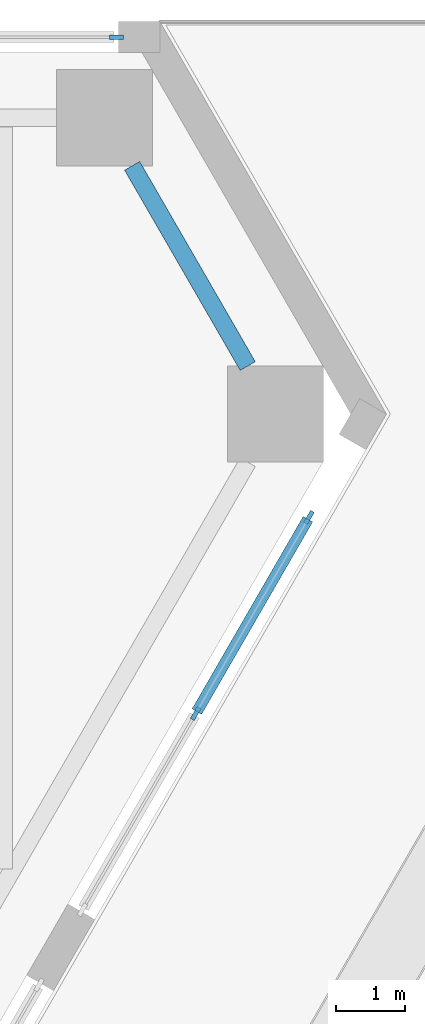
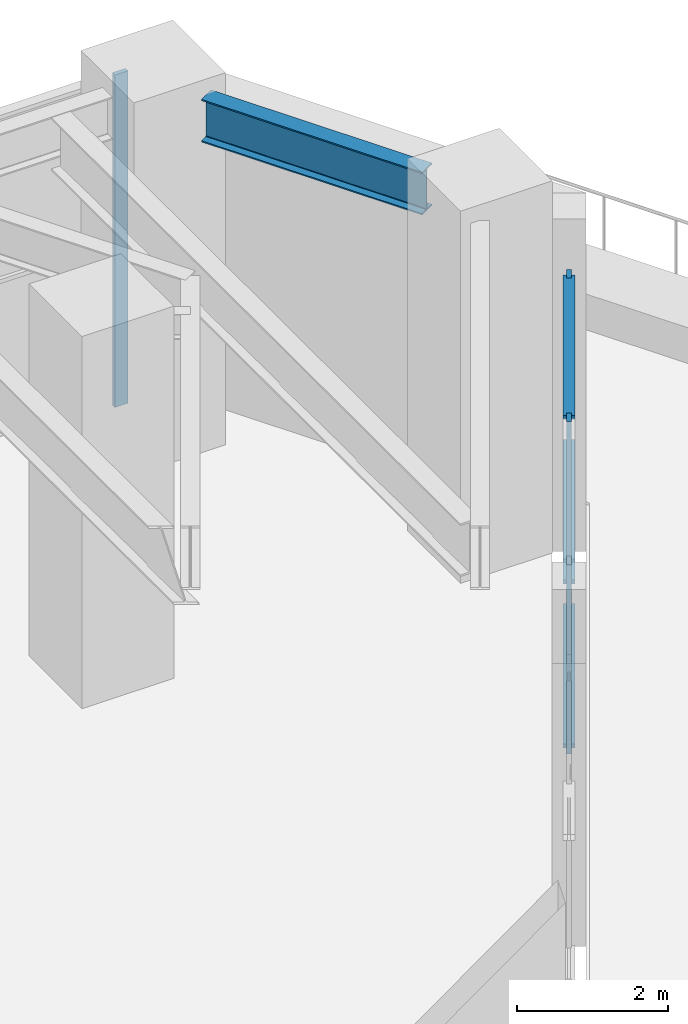
# One storey, part 18 of 40: 6 members, 1 beam, 2 elements without a shape of their own.
"""IFC4 building model written with IfcOpenShell, lengths in metres."""

import ifcopenshell
import ifcopenshell.guid

model = None  # the IFC model being written
_history = None  # IfcOwnerHistory: only IFC2X3 demands one
_inside = {}  # id of a spatial element -> (the spatial element, [elements in it])
_under = {}  # id of a project, library or spatial element -> (it, [spatial elements below it])
_declared = {}  # id of a project -> (the project, [libraries it declares])
_typed = {}  # id of a type object -> (the type object, [elements of that type])
_made_of = {}  # id of a material, layer set ... -> (it, [elements and type objects made of it])


def new_model(schema):
    """Start an empty IFC model of exactly this schema.

    Asked for "IFC4X3", IfcOpenShell would pick the latest addendum, in which some entities
    have other attributes; the version numbers below select the first issue.
    IFC2X3 requires an IfcOwnerHistory on every rooted entity: one is made here for all.
    """
    global model, _history
    if schema == "IFC4X3":
        model = ifcopenshell.file(schema_version=(4, 3, 0, 0))
    else:
        model = ifcopenshell.file(schema=schema)
    _inside.clear()
    _under.clear()
    _declared.clear()
    _typed.clear()
    _made_of.clear()
    _history = None
    if model.schema == "IFC2X3":
        org = make("IfcOrganization", Name="unknown")
        user = make(
            "IfcPersonAndOrganization",
            ThePerson=make("IfcPerson", FamilyName="unknown"),
            TheOrganization=org,
        )
        app = make(
            "IfcApplication",
            ApplicationDeveloper=org,
            Version="unknown",
            ApplicationFullName="unknown",
            ApplicationIdentifier="unknown",
        )
        _history = make(
            "IfcOwnerHistory",
            OwningUser=user,
            OwningApplication=app,
            ChangeAction="ADDED",
            CreationDate=0,
        )
    return model


def make(cls, **values):
    """One entity of the class cls with the attributes given. An attribute that is None is left unset."""
    return model.create_entity(
        cls, **{name: value for name, value in values.items() if value is not None}
    )


def rooted(cls, **values):
    """An entity with a GlobalId (a new one), such as an element, a storey or a relation."""
    return make(cls, GlobalId=ifcopenshell.guid.new(), OwnerHistory=_history, **values)


def si_unit(unit_type, name, prefix=None):
    """IfcSIUnit, for example si_unit("LENGTHUNIT", "METRE", prefix="MILLI")."""
    return make("IfcSIUnit", UnitType=unit_type, Prefix=prefix, Name=name)


def assignment(units):
    """IfcUnitAssignment: the units of a project."""
    return None if units is None else make("IfcUnitAssignment", Units=units)


def point(xyz):
    """IfcCartesianPoint."""
    return None if xyz is None else make("IfcCartesianPoint", Coordinates=xyz)


def direction(xyz):
    """IfcDirection."""
    return None if xyz is None else make("IfcDirection", DirectionRatios=xyz)


def frame(location, z_axis=None, x_axis=None):
    """IfcAxis2Placement3D, a coordinate frame: its origin and axes. An axis left out is left unset."""
    return make(
        "IfcAxis2Placement3D",
        Location=point(location),
        Axis=direction(z_axis),
        RefDirection=direction(x_axis),
    )


def frame_2d(location, x_axis=None):
    """IfcAxis2Placement2D, a coordinate frame in the plane: its origin and x axis."""
    return make(
        "IfcAxis2Placement2D", Location=point(location), RefDirection=direction(x_axis)
    )


def origin():
    """The frame at (0, 0, 0) with its axes left unset."""
    return frame((0.0, 0.0, 0.0))


def origin_2d():
    """The frame at (0, 0) in the plane with its x axis left unset."""
    return frame_2d((0.0, 0.0))


def place(relative_to, where):
    """IfcLocalPlacement: puts the frame where relative to a parent placement (None: the world)."""
    return make(
        "IfcLocalPlacement", PlacementRelTo=relative_to, RelativePlacement=where
    )


def context(
    kind, dimensions, precision=None, world=None, true_north=None, identifier=None
):
    """IfcGeometricRepresentationContext, for example the 3D "Model" context."""
    return make(
        "IfcGeometricRepresentationContext",
        ContextIdentifier=identifier,
        ContextType=kind,
        CoordinateSpaceDimension=dimensions,
        Precision=precision,
        WorldCoordinateSystem=world,
        TrueNorth=true_north,
    )


def subcontext(parent, identifier, kind, view, scale=None):
    """IfcGeometricRepresentationSubContext, for example "Body" below "Model"."""
    return make(
        "IfcGeometricRepresentationSubContext",
        ContextIdentifier=identifier,
        ContextType=kind,
        ParentContext=parent,
        TargetScale=scale,
        TargetView=view,
    )


def project(units=None, contexts=None):
    """IfcProject with its units and contexts."""
    return rooted(
        "IfcProject",
        Name="project",
        RepresentationContexts=contexts,
        UnitsInContext=assignment(units),
    )


def spatial(cls, under=None, at=None, **own):
    """A site, building, storey or space (cls), placed at a placement, below another one or the project."""
    s = rooted(cls, ObjectPlacement=at, **own)
    if under is not None:
        _under.setdefault(under.id(), (under, []))[1].append(s)
    return s


def profile(cls, at=None, kind="AREA", **sizes):
    """A parametric profile (cls). Its sizes go by their IFC names, for example OverallWidth=200.0."""
    return make(cls, ProfileType=kind, Position=at, **sizes)


def rectangle(**sizes):
    """IfcRectangleProfileDef."""
    return profile("IfcRectangleProfileDef", **sizes)


def i_section(**sizes):
    """IfcIShapeProfileDef."""
    return profile("IfcIShapeProfileDef", **sizes)


def extrude(swept, where, along, depth):
    """IfcExtrudedAreaSolid: the profile swept, set in the frame where, extruded along a direction by depth."""
    return make(
        "IfcExtrudedAreaSolid",
        SweptArea=swept,
        Position=where,
        ExtrudedDirection=direction(along),
        Depth=depth,
    )


def shape(context_of_items, identifier, shape_type, items):
    """IfcShapeRepresentation: the items that make up one representation, for example the "Body"."""
    return make(
        "IfcShapeRepresentation",
        ContextOfItems=context_of_items,
        RepresentationIdentifier=identifier,
        RepresentationType=shape_type,
        Items=items,
    )


def material(Name=None, Category=None):
    """IfcMaterial."""
    return make("IfcMaterial", Name=Name, Category=Category)


def material_profile(
    of_material, cross_section, Name=None, Category=None, Priority=None
):
    """IfcMaterialProfile: a cross section and its material."""
    return make(
        "IfcMaterialProfile",
        Name=Name,
        Material=of_material,
        Profile=cross_section,
        Priority=Priority,
        Category=Category,
    )


def profile_set(profiles, Name=None, composite=None):
    """IfcMaterialProfileSet."""
    return make(
        "IfcMaterialProfileSet",
        Name=Name,
        MaterialProfiles=profiles,
        CompositeProfile=composite,
    )


def made_of(thing, what):
    """Note that an element or type object is made of a material, layer set ...; save() writes the relation."""
    if what is not None:
        _made_of.setdefault(what.id(), (what, []))[1].append(thing)
    return thing


def type_object(cls, material=None, **own):
    """A type object (cls), such as IfcWallType, which elements share."""
    return made_of(rooted(cls, **own), material)


def element(
    cls,
    number,
    at=None,
    inside=None,
    cuts=None,
    type_object=None,
    material=None,
    context=None,
    identifier="Body",
    shape_type=None,
    held_by="IfcProductDefinitionShape",
    body=None,
    shapes=None,
    **own,
):
    """One element of the class cls, such as IfcWall. Its Tag is "e" and its number.

    at: its placement. inside: the storey or other place that contains it. cuts: it is an
    opening in that element (IfcRelVoidsElement). A single representation is given by context,
    identifier, shape_type and body (its items); several are given by shapes. held_by: the class
    of the entity that holds the representations. save() writes the other relations.
    """
    e = rooted(cls, Tag="e%d" % number, ObjectPlacement=at, **own)
    if body is not None:
        shapes = [shape(context, identifier, shape_type, body)]
    if shapes is not None:
        e.Representation = make(held_by, Representations=shapes)
    if inside is not None:
        _inside.setdefault(inside.id(), (inside, []))[1].append(e)
    if cuts is not None:
        rooted(
            "IfcRelVoidsElement", RelatingBuildingElement=cuts, RelatedOpeningElement=e
        )
    if type_object is not None:
        _typed.setdefault(type_object.id(), (type_object, []))[1].append(e)
    return made_of(e, material)


def aggregate(whole, parts):
    """IfcRelAggregates: a whole, such as a stair, and the parts it consists of."""
    return rooted("IfcRelAggregates", RelatingObject=whole, RelatedObjects=parts)


def save(model, path):
    """Write the relations noted so far, then the file.

    IfcRelAggregates (storeys below a building ...), IfcRelContainedInSpatialStructure (elements
    in a storey), IfcRelDefinesByType, IfcRelAssociatesMaterial and IfcRelDeclares: one each for
    every whole, place, type object, material and project.
    """
    for whole, parts in _under.values():
        aggregate(whole, parts)
    for where, things in _inside.values():
        rooted(
            "IfcRelContainedInSpatialStructure",
            RelatedElements=things,
            RelatingStructure=where,
        )
    for kind, things in _typed.values():
        rooted("IfcRelDefinesByType", RelatedObjects=things, RelatingType=kind)
    for what, things in _made_of.values():
        rooted("IfcRelAssociatesMaterial", RelatedObjects=things, RelatingMaterial=what)
    for by, libraries in _declared.values():
        rooted("IfcRelDeclares", RelatingContext=by, RelatedDefinitions=libraries)
    model.write(path)


model = new_model("IFC4")

# Units and contexts
model_context = context("Model", 3, precision=1e-05, world=origin(), true_north=direction((0.0, 1.0)))
body_context = subcontext(model_context, "Body", "Model", "MODEL_VIEW")
ifc_project = project(units=[si_unit("LENGTHUNIT", "METRE"), si_unit("AREAUNIT", "SQUARE_METRE"), si_unit("VOLUMEUNIT", "CUBIC_METRE"), si_unit("PLANEANGLEUNIT", "RADIAN"), si_unit("MASSUNIT", "GRAM", prefix="KILO")], contexts=[model_context])

# Site, building, storey
site_placement = place(None, origin())
site = spatial("IfcSite", under=ifc_project, at=site_placement, CompositionType="ELEMENT")
building_placement = place(site_placement, origin())
building = spatial("IfcBuilding", under=site, at=building_placement, Name="Aloe Facet Convention Tower", CompositionType="ELEMENT")
storey_placement = place(building_placement, frame((0.0, 0.0, 13.5)))
storey = spatial("IfcBuildingStorey", under=building, at=storey_placement, Name="L02", CompositionType="ELEMENT", Elevation=13.5)

# Curtain wall, member
ifc_material_1 = material(Name="Aluminium, anodised", Category="aluminium")
curtain_wall_type = type_object("IfcCurtainWallType", Name="EV-CW-HALL", PredefinedType="USERDEFINED", material=ifc_material_1)
curtain_wall_1_placement = place(storey_placement, origin())
curtain_wall_1 = element("IfcCurtainWall", 1, at=curtain_wall_1_placement, inside=storey, type_object=curtain_wall_type, Name="CW-L02-N02", ObjectType="UNITISED HALL GLAZING", PredefinedType="USERDEFINED")
ifc_material_2 = material(Name="Aluminium, anodised", Category="aluminium")
ifc_material_profile_1 = material_profile(ifc_material_2, rectangle(XDim=0.06494140625, YDim=0.199951171875, at=origin_2d()), Name="AL 65x200")
ifc_profile_set_1 = profile_set([ifc_material_profile_1], Name="Aluminium, anodised")
member_type_1 = type_object("IfcMemberType", Name="EV-MULL-HALL", PredefinedType="MULLION", material=ifc_profile_set_1)
member_1_placement = place(storey_placement, frame((124.861572265625, 134.77490234375, -0.300048828125), z_axis=(0.0, 0.0, 1.0), x_axis=(0.0, -1.0, 0.0)))
member_1 = element("IfcMember", 2, at=member_1_placement, type_object=member_type_1, Name="CW-L02-N02 mullion 1", PredefinedType="MULLION", context=body_context, shape_type="SweptSolid", body=[
    extrude(rectangle(XDim=0.06494140625, YDim=0.199951171875, at=origin_2d()), origin(), (0.0, 0.0, 1.0), 5.362548828125),
])
aggregate(curtain_wall_1, [member_1])

# Curtain wall, members
curtain_wall_2_placement = place(storey_placement, origin())
curtain_wall_2 = element("IfcCurtainWall", 3, at=curtain_wall_2_placement, inside=storey, type_object=curtain_wall_type, Name="CW-L02-E20", ObjectType="UNITISED HALL GLAZING", PredefinedType="USERDEFINED")
member_2_placement = place(storey_placement, frame((126.01611328125, 124.9228515625, -0.300048828125), z_axis=(0.0, 0.0, 1.0), x_axis=(-0.866025403828, 0.499999999924, 0.0)))
member_2 = element("IfcMember", 4, at=member_2_placement, type_object=member_type_1, Name="CW-L02-E20 mullion 2", PredefinedType="MULLION", context=body_context, shape_type="SweptSolid", body=[
    extrude(rectangle(XDim=0.06494140625, YDim=0.199951171875, at=origin_2d()), origin(), (0.0, 0.0, 1.0), 5.362548828125),
])
member_3_placement = place(storey_placement, frame((127.666259765625, 127.781005859375, -0.300048828125), z_axis=(0.0, 0.0, 1.0), x_axis=(-0.866025403828, 0.499999999924, 0.0)))
member_3 = element("IfcMember", 5, at=member_3_placement, type_object=member_type_1, Name="CW-L02-E20 mullion 3", PredefinedType="MULLION", context=body_context, shape_type="SweptSolid", body=[
    extrude(rectangle(XDim=0.06494140625, YDim=0.199951171875, at=origin_2d()), origin(), (0.0, 0.0, 1.0), 5.362548828125),
])
ifc_material_3 = material(Name="Aluminium, anodised", Category="aluminium")
ifc_material_profile_2 = material_profile(ifc_material_3, rectangle(XDim=0.159912109375, YDim=0.06494140625, at=origin_2d()), Name="AL 160x65")
ifc_profile_set_2 = profile_set([ifc_material_profile_2], Name="Aluminium, anodised")
member_type_2 = type_object("IfcMemberType", Name="EV-TRAN-HALL", PredefinedType="USERDEFINED", material=ifc_profile_set_2)
member_4_placement = place(storey_placement, frame((126.032470703125, 124.950927734375, -0.267578125), z_axis=(0.499985905884, 0.866033540873, 0.0), x_axis=(-0.866033540873, 0.499985905884, 0.0)))
member_4 = element("IfcMember", 6, at=member_4_placement, type_object=member_type_2, Name="CW-L02-E20 transom 2.1", ObjectType="TRANSOM", PredefinedType="USERDEFINED", context=body_context, shape_type="SweptSolid", body=[
    extrude(rectangle(XDim=0.159912109375, YDim=0.06494140625, at=origin_2d()), origin(), (0.0, 0.0, 1.0), 3.2353515625),
])
member_5_placement = place(storey_placement, frame((126.032470703125, 124.950927734375, 2.38134765625), z_axis=(0.499985905884, 0.866033540873, 0.0), x_axis=(-0.866033540873, 0.499985905884, 0.0)))
member_5 = element("IfcMember", 7, at=member_5_placement, type_object=member_type_2, Name="CW-L02-E20 transom 2.2", ObjectType="TRANSOM", PredefinedType="USERDEFINED", context=body_context, shape_type="SweptSolid", body=[
    extrude(rectangle(XDim=0.159912109375, YDim=0.06494140625, at=origin_2d()), origin(), (0.0, 0.0, 1.0), 3.2353515625),
])
member_6_placement = place(storey_placement, frame((126.032470703125, 124.950927734375, 5.030029296875), z_axis=(0.499985905884, 0.866033540873, 0.0), x_axis=(-0.866033540873, 0.499985905884, 0.0)))
member_6 = element("IfcMember", 8, at=member_6_placement, type_object=member_type_2, Name="CW-L02-E20 transom 2.3", ObjectType="TRANSOM", PredefinedType="USERDEFINED", context=body_context, shape_type="SweptSolid", body=[
    extrude(rectangle(XDim=0.159912109375, YDim=0.06494140625, at=origin_2d()), origin(), (0.0, 0.0, 1.0), 3.2353515625),
])
aggregate(curtain_wall_2, [member_2, member_3, member_4, member_5, member_6])

# Beam
ifc_material_4 = material(Name="Steel S355", Category="steel")
ifc_material_profile_3 = material_profile(ifc_material_4, i_section(OverallWidth=0.25439453125, OverallDepth=0.6875, WebThickness=0.01318359375, FlangeThickness=0.02099609375, FilletRadius=0.01513671875, at=origin_2d()), Name="UB 686x254x152")
ifc_profile_set_3 = profile_set([ifc_material_profile_3], Name="Steel S355")
beam_type = type_object("IfcBeamType", Name="SF-B-UB686x254x152", PredefinedType="BEAM", material=ifc_profile_set_3)
beam_placement = place(storey_placement, frame((125.08984375, 132.89990234375, 5.40625), z_axis=(0.500006981563, -0.86602137294, 0.0), x_axis=(0.86602137294, 0.500006981563, 0.0)))
element("IfcBeam", 9, at=beam_placement, inside=storey, type_object=beam_type, Name="Floor beam FB-L03-024", PredefinedType="BEAM", context=body_context, shape_type="SweptSolid", body=[
    extrude(i_section(OverallWidth=0.25439453125, OverallDepth=0.6875, WebThickness=0.01318359375, FlangeThickness=0.02099609375, FilletRadius=0.01513671875, at=origin_2d()), origin(), (0.0, 0.0, 1.0), 3.3671875),
])

save(model, "model.ifc")
